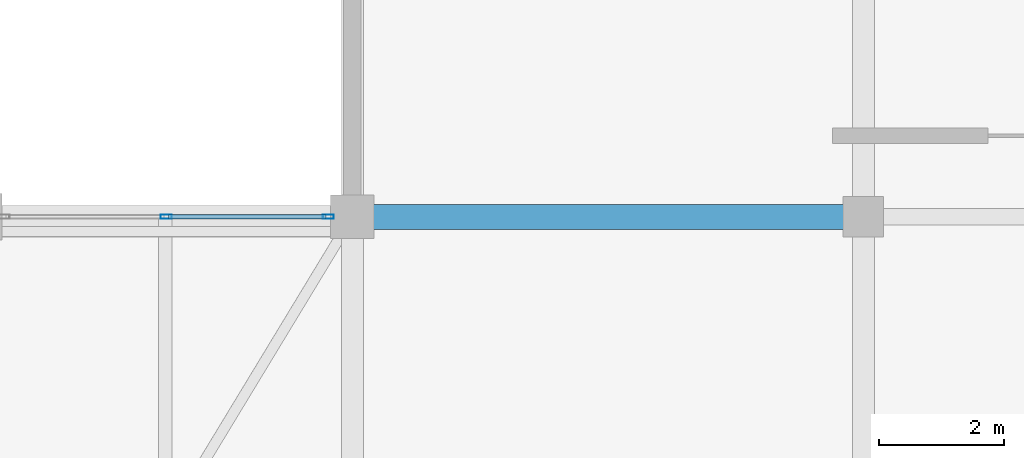
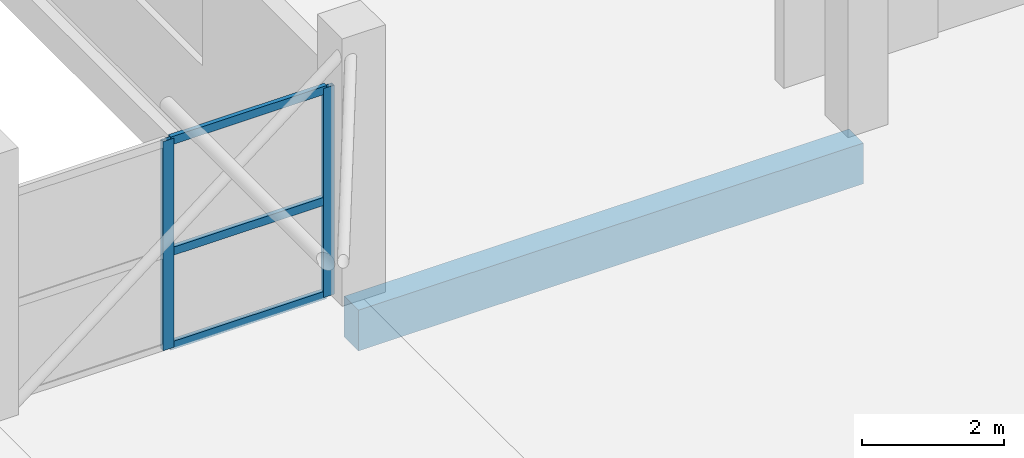
# One storey, part 39 of 69: 5 members, 1 beam, 1 element without a shape of its own.
"""IFC4 building model written with IfcOpenShell, lengths in metres."""

from ifc_helpers import new_model, si_unit, direction, frame, origin, origin_2d, place, context, subcontext, project, spatial, rectangle, hollow_rectangle, extrude, material, layer, layer_set, material_profile, profile_set, type_object, element, aggregate, save


model = new_model("IFC4")

# Units and contexts
model_context = context("Model", 3, precision=1e-05, world=origin(), true_north=direction((0.0, 1.0)))
body_context = subcontext(model_context, "Body", "Model", "MODEL_VIEW")
ifc_project = project(units=[si_unit("LENGTHUNIT", "METRE"), si_unit("AREAUNIT", "SQUARE_METRE"), si_unit("VOLUMEUNIT", "CUBIC_METRE"), si_unit("PLANEANGLEUNIT", "RADIAN"), si_unit("MASSUNIT", "GRAM", prefix="KILO")], contexts=[model_context])

# Site, building, storey
site_placement = place(None, origin())
site = spatial("IfcSite", under=ifc_project, at=site_placement, CompositionType="ELEMENT")
building_placement = place(site_placement, origin())
building = spatial("IfcBuilding", under=site, at=building_placement, Name="Sillaruma Civic Art Gallery", CompositionType="ELEMENT")
storey_placement = place(building_placement, frame((0.0, 0.0, 42.330078125)))
storey = spatial("IfcBuildingStorey", under=building, at=storey_placement, Name="L08", CompositionType="ELEMENT", Elevation=42.330078125)

# Beam
ifc_material_1 = material(Name="Concrete H35 (35 MPa)", Category="concrete")
ifc_material_profile_1 = material_profile(ifc_material_1, rectangle(XDim=0.39990234375, YDim=0.699951171875, at=origin_2d()), Name="RCB400x700")
ifc_profile_set_1 = profile_set([ifc_material_profile_1], Name="Concrete H35 (35 MPa)")
beam_type = type_object("IfcBeamType", Name="BM-BEAM-RCB400x700", PredefinedType="BEAM", material=ifc_profile_set_1)
beam_placement = place(storey_placement, frame((98.0, 79.199951171875, -0.630126953125), z_axis=(1.0, 0.0, 0.0), x_axis=(0.0, 1.0, 0.0)))
element("IfcBeam", 1, at=beam_placement, inside=storey, type_object=beam_type, Name="Beam BM-04 (L07:9:L-M)", PredefinedType="BEAM", context=body_context, shape_type="SweptSolid", body=[
    extrude(rectangle(XDim=0.39990234375, YDim=0.699951171875, at=origin_2d()), origin(), (0.0, 0.0, 1.0), 8.199951171875),
])

# Curtain wall, members
ifc_material_2 = material(Name="Thermally Broken Extruded Aluminium 6063-T6", Category="aluminium")
ifc_layer = layer(ifc_material_2, 0.179931640625, Name="Thermally Broken Extruded Aluminium 6063-T6")
ifc_layer_set = layer_set([ifc_layer], Name="Thermally Broken Extruded Aluminium 6063-T6")
curtain_wall_type = type_object("IfcCurtainWallType", Name="CW-UNI-60", PredefinedType="NOTDEFINED", material=ifc_layer_set)
curtain_wall_placement = place(storey_placement, origin())
curtain_wall = element("IfcCurtainWall", 2, at=curtain_wall_placement, inside=storey, type_object=curtain_wall_type, Name="Unitised Curtain Wall CW-60 (CW-BRG-N-L08-N)", PredefinedType="NOTDEFINED")
ifc_material_profile_2 = material_profile(ifc_material_2, hollow_rectangle(XDim=0.070068359375, YDim=0.179931640625, WallThickness=0.00390625, at=origin_2d()), Name="CWM70x180")
ifc_profile_set_2 = profile_set([ifc_material_profile_2], Name="Thermally Broken Extruded Aluminium 6063-T6")
member_type_1 = type_object("IfcMemberType", Name="MEM-MUL-CWM70x180", PredefinedType="MULLION", material=ifc_profile_set_2)
member_1_placement = place(storey_placement, frame((95.012451171875, 79.199951171875, 0.0), z_axis=(0.0, 0.0, 1.0), x_axis=(0.0, 1.0, 0.0)))
member_1 = element("IfcMember", 3, at=member_1_placement, type_object=member_type_1, Name="CW-60 mullion 2", PredefinedType="MULLION", context=body_context, shape_type="SweptSolid", body=[
    extrude(hollow_rectangle(XDim=0.070068359375, YDim=0.179931640625, WallThickness=0.00390625, at=origin_2d()), origin(), (0.0, 0.0, 1.0), 3.58984375),
])
member_2_placement = place(storey_placement, frame((97.614990234375, 79.199951171875, 0.0), z_axis=(0.0, 0.0, 1.0), x_axis=(0.0, 1.0, 0.0)))
member_2 = element("IfcMember", 4, at=member_2_placement, type_object=member_type_1, Name="CW-60 mullion 3", PredefinedType="MULLION", context=body_context, shape_type="SweptSolid", body=[
    extrude(hollow_rectangle(XDim=0.070068359375, YDim=0.179931640625, WallThickness=0.00390625, at=origin_2d()), origin(), (0.0, 0.0, 1.0), 3.58984375),
])
ifc_material_profile_3 = material_profile(ifc_material_2, hollow_rectangle(XDim=0.070068359375, YDim=0.139892578125, WallThickness=0.00390625, at=origin_2d()), Name="CWT70x140")
ifc_profile_set_3 = profile_set([ifc_material_profile_3], Name="Thermally Broken Extruded Aluminium 6063-T6")
member_type_2 = type_object("IfcMemberType", Name="MEM-TRN-CWT70x140", PredefinedType="USERDEFINED", material=ifc_profile_set_3)
member_3_placement = place(storey_placement, frame((95.047607421875, 79.199951171875, 0.034912109375), z_axis=(1.0, 0.0, 0.0), x_axis=(0.0, 1.0, 0.0)))
member_3 = element("IfcMember", 5, at=member_3_placement, type_object=member_type_2, Name="CW-60 transom 2.1", ObjectType="TRANSOM", PredefinedType="USERDEFINED", context=body_context, shape_type="SweptSolid", body=[
    extrude(hollow_rectangle(XDim=0.070068359375, YDim=0.139892578125, WallThickness=0.00390625, at=origin_2d()), origin(), (0.0, 0.0, 1.0), 2.532470703125),
])
member_4_placement = place(storey_placement, frame((95.047607421875, 79.199951171875, 1.6513671875), z_axis=(1.0, 0.0, 0.0), x_axis=(0.0, 1.0, 0.0)))
member_4 = element("IfcMember", 6, at=member_4_placement, type_object=member_type_2, Name="CW-60 transom 2.2", ObjectType="TRANSOM", PredefinedType="USERDEFINED", context=body_context, shape_type="SweptSolid", body=[
    extrude(hollow_rectangle(XDim=0.070068359375, YDim=0.139892578125, WallThickness=0.00390625, at=origin_2d()), origin(), (0.0, 0.0, 1.0), 2.532470703125),
])
member_5_placement = place(storey_placement, frame((95.047607421875, 79.199951171875, 3.554931640625), z_axis=(1.0, 0.0, 0.0), x_axis=(0.0, 1.0, 0.0)))
member_5 = element("IfcMember", 7, at=member_5_placement, type_object=member_type_2, Name="CW-60 transom 2.3", ObjectType="TRANSOM", PredefinedType="USERDEFINED", context=body_context, shape_type="SweptSolid", body=[
    extrude(hollow_rectangle(XDim=0.070068359375, YDim=0.139892578125, WallThickness=0.00390625, at=origin_2d()), origin(), (0.0, 0.0, 1.0), 2.532470703125),
])
aggregate(curtain_wall, [member_1, member_2, member_3, member_4, member_5])

save(model, "model.ifc")
